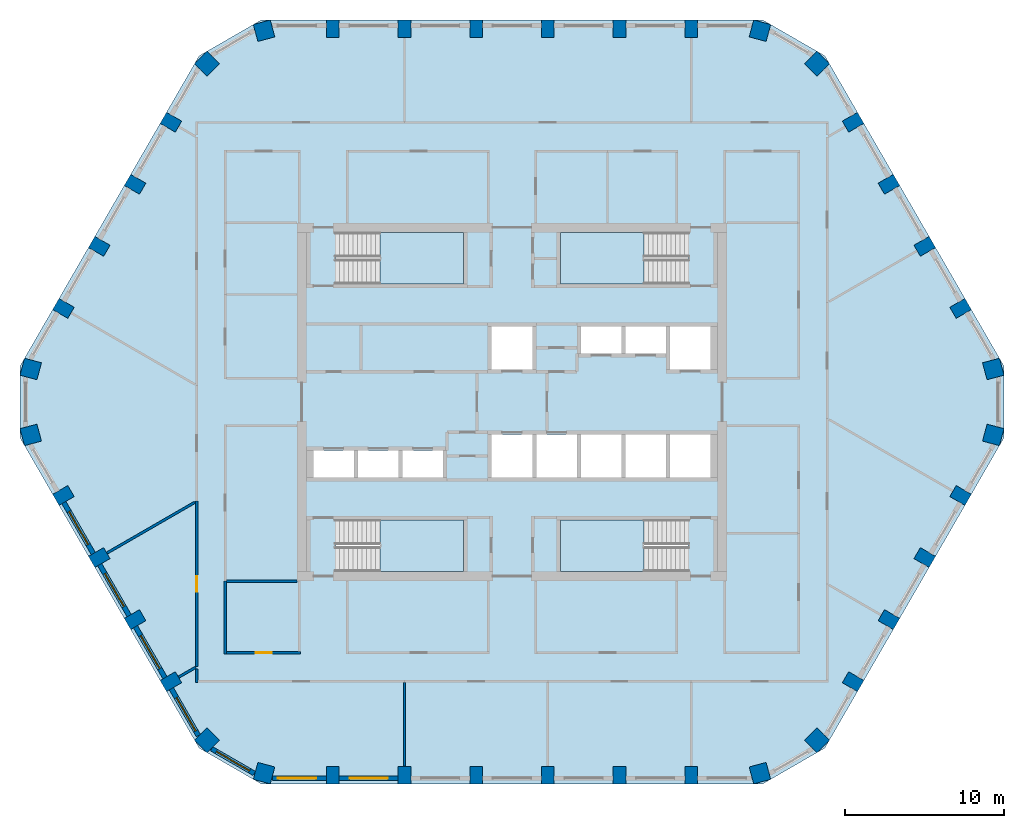
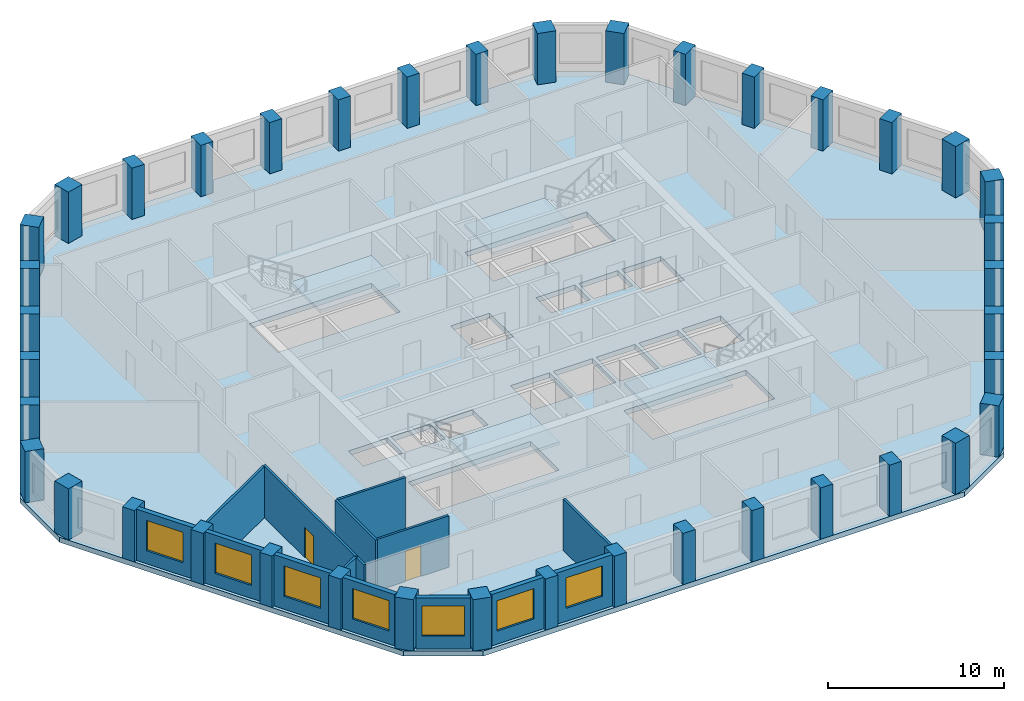
# One storey, part 1 of 9: 40 columns, 15 walls, 7 windows, 5 slabs, 2 doors, 9 openings, 4 elements without a shape of their own.
"""IFC4 building model written with IfcOpenShell, lengths in metres."""

from ifc_helpers import new_model, si_unit, direction, frame, frame_2d, origin, origin_2d, place, context, subcontext, project, spatial, polyline, rectangle, outline, extrude, material, layer, layer_set, material_profile, profile_set, type_object, element, fill, aggregate, save


model = new_model("IFC4")

# Units and contexts
model_context = context("Model", 3, precision=1e-05, world=origin(), true_north=direction((0.0, 1.0)))
body_context = subcontext(model_context, "Body", "Model", "MODEL_VIEW")
ifc_project = project(units=[si_unit("LENGTHUNIT", "METRE"), si_unit("AREAUNIT", "SQUARE_METRE"), si_unit("VOLUMEUNIT", "CUBIC_METRE"), si_unit("PLANEANGLEUNIT", "RADIAN"), si_unit("MASSUNIT", "GRAM", prefix="KILO")], contexts=[model_context])

# Site, building, storey
site_placement = place(None, origin())
site = spatial("IfcSite", under=ifc_project, at=site_placement, CompositionType="ELEMENT")
building_placement = place(site_placement, origin())
building = spatial("IfcBuilding", under=site, at=building_placement, Name="Dhurran Vertical Campus", CompositionType="ELEMENT")
storey_placement = place(building_placement, frame((0.0, 0.0, 203.39990234375)))
storey = spatial("IfcBuildingStorey", under=building, at=storey_placement, Name="L50", CompositionType="ELEMENT", Elevation=203.39990234375)

# Columns
ifc_material_1 = material(Name="Concrete C50/60", Category="concrete")
ifc_material_profile_1 = material_profile(ifc_material_1, rectangle(XDim=1.10009765625, YDim=1.10009765625, at=origin_2d()), Name="RC 1100x1100")
ifc_profile_set_1 = profile_set([ifc_material_profile_1], Name="Concrete C50/60")
column_type_1 = type_object("IfcColumnType", Name="FR COL RC 1100x1100 C50/60", PredefinedType="COLUMN", material=ifc_profile_set_1)
for number, where, z_axis, x_axis, name in (
    (1, (-15.569580078125, -23.31201171875, 0.0), (0.0, 0.0, 1.0), (0.965925826289, -0.258819045103, 0.0), "Perimeter pier PP4.00"),
    (2, (15.569580078125, -23.31201171875, 0.0), (0.0, 0.0, 1.0), (0.965925826289, 0.258819045103, 0.0), "Perimeter pier PP4.07"),
    (3, (19.154052734375, -21.242431640625, 0.0), (0.0, 0.0, 1.0), (0.707106781187, 0.707106781187, 0.0), "Perimeter pier PP4.08"),
    (4, (30.223388671875, -2.069580078125, 0.0), (0.0, 0.0, 1.0), (0.258819045103, 0.965925826289, 0.0), "Perimeter pier PP4.13"),
    (5, (30.223388671875, 2.069580078125, 0.0), (0.0, 0.0, 1.0), (-0.258819045103, 0.965925826289, 0.0), "Perimeter pier PP4.14"),
    (6, (19.154052734375, 21.242431640625, 0.0), (0.0, 0.0, 1.0), (-0.707106781187, 0.707106781187, 0.0), "Perimeter pier PP4.19"),
    (7, (15.569580078125, 23.31201171875, 0.0), (0.0, 0.0, 1.0), (-0.965925826289, 0.258819045103, 0.0), "Perimeter pier PP4.20"),
    (8, (-15.569580078125, 23.31201171875, 0.0), (0.0, 0.0, 1.0), (-0.965925826289, -0.258819045103, 0.0), "Perimeter pier PP4.27"),
    (9, (-19.154052734375, 21.242431640625, 0.0), (0.0, 0.0, 1.0), (-0.707106781187, -0.707106781187, 0.0), "Perimeter pier PP4.28"),
    (10, (-30.223388671875, 2.069580078125, 0.0), (0.0, 0.0, 1.0), (-0.258819045103, -0.965925826289, 0.0), "Perimeter pier PP4.33"),
    (11, (-30.223388671875, -2.069580078125, 0.0), (0.0, 0.0, 1.0), (0.258819045103, -0.965925826289, 0.0), "Perimeter pier PP4.34"),
    (12, (-19.154052734375, -21.242431640625, 0.0), (0.0, 0.0, 1.0), (0.707106781187, -0.707106781187, 0.0), "Perimeter pier PP4.39"),
):
    element("IfcColumn", number, at=place(storey_placement, frame(where, z_axis=z_axis, x_axis=x_axis)), inside=storey, type_object=column_type_1, Name=name, PredefinedType="COLUMN", context=body_context, shape_type="SweptSolid", body=[
        extrude(rectangle(XDim=1.10009765625, YDim=1.10009765625, at=origin_2d()), origin(), (0.0, 0.0, 1.0), 3.550048828125),
    ])
ifc_material_2 = material(Name="Concrete C50/60", Category="concrete")
ifc_material_profile_2 = material_profile(ifc_material_2, rectangle(XDim=0.800048828125, YDim=1.10009765625, at=origin_2d()), Name="RC 800x1100")
ifc_profile_set_2 = profile_set([ifc_material_profile_2], Name="Concrete C50/60")
column_type_2 = type_object("IfcColumnType", Name="FR COL RC 800x1100 C50/60", PredefinedType="COLUMN", material=ifc_profile_set_2)
for number, where, z_axis, x_axis, name in (
    (13, (-11.25, -23.435546875, 0.0), (0.0, 0.0, 1.0), (1.0, 0.0, 0.0), "Perimeter pier PP4.01"),
    (14, (-6.75, -23.435546875, 0.0), (0.0, 0.0, 1.0), (1.0, 0.0, 0.0), "Perimeter pier PP4.02"),
    (15, (-2.25, -23.435546875, 0.0), (0.0, 0.0, 1.0), (1.0, 0.0, 0.0), "Perimeter pier PP4.03"),
    (16, (2.25, -23.435546875, 0.0), (0.0, 0.0, 1.0), (1.0, 0.0, 0.0), "Perimeter pier PP4.04"),
    (17, (6.75, -23.435546875, 0.0), (0.0, 0.0, 1.0), (1.0, 0.0, 0.0), "Perimeter pier PP4.05"),
    (18, (11.25, -23.435546875, 0.0), (0.0, 0.0, 1.0), (1.0, 0.0, 0.0), "Perimeter pier PP4.06"),
    (19, (21.4208984375, -17.5634765625, 0.0), (0.0, 0.0, 1.0), (0.5, 0.866025403784, 0.0), "Perimeter pier PP4.09"),
    (20, (23.6708984375, -13.666259765625, 0.0), (0.0, 0.0, 1.0), (0.5, 0.866025403784, 0.0), "Perimeter pier PP4.10"),
    (21, (25.9208984375, -9.769287109375, 0.0), (0.0, 0.0, 1.0), (0.5, 0.866025403784, 0.0), "Perimeter pier PP4.11"),
    (22, (28.1708984375, -5.8720703125, 0.0), (0.0, 0.0, 1.0), (0.5, 0.866025403784, 0.0), "Perimeter pier PP4.12"),
    (23, (28.1708984375, 5.8720703125, 0.0), (0.0, 0.0, 1.0), (-0.5, 0.866025403784, 0.0), "Perimeter pier PP4.15"),
    (24, (25.9208984375, 9.769287109375, 0.0), (0.0, 0.0, 1.0), (-0.5, 0.866025403784, 0.0), "Perimeter pier PP4.16"),
    (25, (23.6708984375, 13.666259765625, 0.0), (0.0, 0.0, 1.0), (-0.5, 0.866025403784, 0.0), "Perimeter pier PP4.17"),
    (26, (21.4208984375, 17.5634765625, 0.0), (0.0, 0.0, 1.0), (-0.5, 0.866025403784, 0.0), "Perimeter pier PP4.18"),
    (27, (11.25, 23.435546875, 0.0), (0.0, 0.0, 1.0), (-1.0, 0.0, 0.0), "Perimeter pier PP4.21"),
    (28, (6.75, 23.435546875, 0.0), (0.0, 0.0, 1.0), (-1.0, 0.0, 0.0), "Perimeter pier PP4.22"),
    (29, (2.25, 23.435546875, 0.0), (0.0, 0.0, 1.0), (-1.0, 0.0, 0.0), "Perimeter pier PP4.23"),
    (30, (-2.25, 23.435546875, 0.0), (0.0, 0.0, 1.0), (-1.0, 0.0, 0.0), "Perimeter pier PP4.24"),
    (31, (-6.75, 23.435546875, 0.0), (0.0, 0.0, 1.0), (-1.0, 0.0, 0.0), "Perimeter pier PP4.25"),
    (32, (-11.25, 23.435546875, 0.0), (0.0, 0.0, 1.0), (-1.0, 0.0, 0.0), "Perimeter pier PP4.26"),
    (33, (-21.4208984375, 17.5634765625, 0.0), (0.0, 0.0, 1.0), (-0.5, -0.866025403784, 0.0), "Perimeter pier PP4.29"),
    (34, (-23.6708984375, 13.666259765625, 0.0), (0.0, 0.0, 1.0), (-0.5, -0.866025403784, 0.0), "Perimeter pier PP4.30"),
    (35, (-25.9208984375, 9.769287109375, 0.0), (0.0, 0.0, 1.0), (-0.5, -0.866025403784, 0.0), "Perimeter pier PP4.31"),
    (36, (-28.1708984375, 5.8720703125, 0.0), (0.0, 0.0, 1.0), (-0.5, -0.866025403784, 0.0), "Perimeter pier PP4.32"),
    (37, (-28.1708984375, -5.8720703125, 0.0), (0.0, 0.0, 1.0), (0.5, -0.866025403784, 0.0), "Perimeter pier PP4.35"),
    (38, (-25.9208984375, -9.769287109375, 0.0), (0.0, 0.0, 1.0), (0.5, -0.866025403784, 0.0), "Perimeter pier PP4.36"),
    (39, (-23.6708984375, -13.666259765625, 0.0), (0.0, 0.0, 1.0), (0.5, -0.866025403784, 0.0), "Perimeter pier PP4.37"),
    (40, (-21.4208984375, -17.5634765625, 0.0), (0.0, 0.0, 1.0), (0.5, -0.866025403784, 0.0), "Perimeter pier PP4.38"),
):
    element("IfcColumn", number, at=place(storey_placement, frame(where, z_axis=z_axis, x_axis=x_axis)), inside=storey, type_object=column_type_2, Name=name, PredefinedType="COLUMN", context=body_context, shape_type="SweptSolid", body=[
        extrude(rectangle(XDim=0.800048828125, YDim=1.10009765625, at=origin_2d()), origin(), (0.0, 0.0, 1.0), 3.550048828125),
    ])

# Slab
ifc_material_3 = material(Name="Concrete C40/50", Category="concrete")
ifc_layer_1 = layer(ifc_material_3, 0.35009765625)
ifc_layer_set_1 = layer_set([ifc_layer_1], Name="Concrete C40/50")
slab_type_1 = type_object("IfcSlabType", Name="FR POST-TENSIONED FLAT SLAB 350", PredefinedType="FLOOR", material=ifc_layer_set_1)
slab_1_placement = place(storey_placement, frame((0.0, 0.0, -0.349853515625)))
element("IfcSlab", 41, at=slab_1_placement, inside=storey, type_object=slab_type_1, Name="Floor slab L50", PredefinedType="FLOOR", context=body_context, shape_type="SweptSolid", body=[
    extrude(outline(polyline([(-15.75, -23.985595703125), (15.75, -23.985595703125), (19.647216796875, -21.735595703125), (30.897216796875, -2.25), (30.897216796875, 2.25), (19.647216796875, 21.735595703125), (15.75, 23.985595703125), (-15.75, 23.985595703125), (-19.647216796875, 21.735595703125), (-30.897216796875, 2.25), (-30.897216796875, -2.25), (-19.647216796875, -21.735595703125), (-15.75, -23.985595703125)]), holes=[polyline([(-1.27490234375, 2.050048828125), (1.27490234375, 2.050048828125), (1.27490234375, 4.75), (-1.27490234375, 4.75), (-1.27490234375, 2.050048828125)]), polyline([(9.925048828125, 2.050048828125), (12.47509765625, 2.050048828125), (12.47509765625, 4.75), (9.925048828125, 4.75), (9.925048828125, 2.050048828125)]), polyline([(-1.27490234375, -4.75), (1.27490234375, -4.75), (1.27490234375, -2.050048828125), (-1.27490234375, -2.050048828125), (-1.27490234375, -4.75)]), polyline([(1.52490234375, -4.75), (4.074951171875, -4.75), (4.074951171875, -2.050048828125), (1.52490234375, -2.050048828125), (1.52490234375, -4.75)]), polyline([(4.324951171875, -4.75), (6.875, -4.75), (6.875, -2.050048828125), (4.324951171875, -2.050048828125), (4.324951171875, -4.75)]), polyline([(7.125, -4.75), (9.675048828125, -4.75), (9.675048828125, -2.050048828125), (7.125, -2.050048828125), (7.125, -4.75)]), polyline([(9.925048828125, -4.75), (12.47509765625, -4.75), (12.47509765625, -2.050048828125), (9.925048828125, -2.050048828125), (9.925048828125, -4.75)]), polyline([(4.324951171875, 3.050048828125), (6.875, 3.050048828125), (6.875, 4.75), (4.324951171875, 4.75), (4.324951171875, 3.050048828125)]), polyline([(7.125, 3.050048828125), (9.675048828125, 3.050048828125), (9.675048828125, 4.75), (7.125, 4.75), (7.125, 3.050048828125)]), polyline([(-12.47509765625, -4.75), (-9.925048828125, -4.75), (-9.925048828125, -3.050048828125), (-12.47509765625, -3.050048828125), (-12.47509765625, -4.75)]), polyline([(-9.675048828125, -4.75), (-7.125, -4.75), (-7.125, -3.050048828125), (-9.675048828125, -3.050048828125), (-9.675048828125, -4.75)]), polyline([(-6.875, -4.75), (-4.324951171875, -4.75), (-4.324951171875, -3.050048828125), (-6.875, -3.050048828125), (-6.875, -4.75)]), polyline([(-11.050048828125, 7.39990234375), (-3.050048828125, 7.39990234375), (-3.050048828125, 10.64990234375), (-11.050048828125, 10.64990234375), (-11.050048828125, 7.39990234375)]), polyline([(3.050048828125, 7.39990234375), (11.050048828125, 7.39990234375), (11.050048828125, 10.64990234375), (3.050048828125, 10.64990234375), (3.050048828125, 7.39990234375)]), polyline([(-11.050048828125, -10.64990234375), (-3.050048828125, -10.64990234375), (-3.050048828125, -7.39990234375), (-11.050048828125, -7.39990234375), (-11.050048828125, -10.64990234375)]), polyline([(3.050048828125, -10.64990234375), (11.050048828125, -10.64990234375), (11.050048828125, -7.39990234375), (3.050048828125, -7.39990234375), (3.050048828125, -10.64990234375)])]), origin(), (0.0, 0.0, 1.0), 0.349853515625),
])

# Stair, slab
ifc_material_4 = material(Name="Concrete C40/50", Category="concrete")
stair_type = type_object("IfcStairType", Name="co-ST-CORE", PredefinedType="HALF_TURN_STAIR", material=ifc_material_4)
stair_1_placement = place(storey_placement, origin())
stair_1 = element("IfcStair", 42, at=stair_1_placement, inside=storey, type_object=stair_type, Name="L50 Protected exit stair ST1", PredefinedType="HALF_TURN_STAIR")
ifc_material_5 = material(Name="Concrete C40/50", Category="concrete")
ifc_layer_2 = layer(ifc_material_5, 0.199951171875)
ifc_layer_set_2 = layer_set([ifc_layer_2], Name="Concrete C40/50")
slab_type_2 = type_object("IfcSlabType", Name="co-SL-LANDING", PredefinedType="LANDING", material=ifc_layer_set_2)
slab_2_placement = place(storey_placement, frame((0.0, 0.0, 1.75)))
slab_2 = element("IfcSlab", 43, at=slab_2_placement, type_object=slab_type_2, Name="ST1 landing 1", PredefinedType="LANDING", context=body_context, shape_type="SweptSolid", body=[
    extrude(outline(polyline([(-8.300048828125, 7.39990234375), (-3.050048828125, 7.39990234375), (-3.050048828125, 10.64990234375), (-8.300048828125, 10.64990234375), (-8.300048828125, 7.39990234375)])), origin(), (0.0, 0.0, 1.0), 0.2001953125),
])
aggregate(stair_1, [slab_2])

stair_2_placement = place(storey_placement, origin())
stair_2 = element("IfcStair", 44, at=stair_2_placement, inside=storey, type_object=stair_type, Name="L50 Protected exit stair ST2", PredefinedType="HALF_TURN_STAIR")
slab_3_placement = place(storey_placement, frame((0.0, 0.0, 1.75)))
slab_3 = element("IfcSlab", 45, at=slab_3_placement, type_object=slab_type_2, Name="ST2 landing 1", PredefinedType="LANDING", context=body_context, shape_type="SweptSolid", body=[
    extrude(outline(polyline([(8.300048828125, 10.64990234375), (3.050048828125, 10.64990234375), (3.050048828125, 7.39990234375), (8.300048828125, 7.39990234375), (8.300048828125, 10.64990234375)])), origin(), (0.0, 0.0, 1.0), 0.2001953125),
])
aggregate(stair_2, [slab_3])

stair_3_placement = place(storey_placement, origin())
stair_3 = element("IfcStair", 46, at=stair_3_placement, inside=storey, type_object=stair_type, Name="L50 Protected exit stair ST3", PredefinedType="HALF_TURN_STAIR")
slab_4_placement = place(storey_placement, frame((0.0, 0.0, 1.75)))
slab_4 = element("IfcSlab", 47, at=slab_4_placement, type_object=slab_type_2, Name="ST3 landing 1", PredefinedType="LANDING", context=body_context, shape_type="SweptSolid", body=[
    extrude(outline(polyline([(-8.300048828125, -10.64990234375), (-3.050048828125, -10.64990234375), (-3.050048828125, -7.39990234375), (-8.300048828125, -7.39990234375), (-8.300048828125, -10.64990234375)])), origin(), (0.0, 0.0, 1.0), 0.2001953125),
])
aggregate(stair_3, [slab_4])

stair_4_placement = place(storey_placement, origin())
stair_4 = element("IfcStair", 48, at=stair_4_placement, inside=storey, type_object=stair_type, Name="L50 Protected exit stair ST4", PredefinedType="HALF_TURN_STAIR")
slab_5_placement = place(storey_placement, frame((0.0, 0.0, 1.75)))
slab_5 = element("IfcSlab", 49, at=slab_5_placement, type_object=slab_type_2, Name="ST4 landing 1", PredefinedType="LANDING", context=body_context, shape_type="SweptSolid", body=[
    extrude(outline(polyline([(8.300048828125, -7.39990234375), (3.050048828125, -7.39990234375), (3.050048828125, -10.64990234375), (8.300048828125, -10.64990234375), (8.300048828125, -7.39990234375)])), origin(), (0.0, 0.0, 1.0), 0.2001953125),
])
aggregate(stair_4, [slab_5])

# Wall, opening, window
ifc_material_6 = material(Name="Precast concrete C50/60", Category="concrete")
ifc_layer_3 = layer(ifc_material_6, 0.300048828125)
ifc_layer_set_3 = layer_set([ifc_layer_3], Name="Precast concrete C50/60")
wall_type_1 = type_object("IfcWallType", Name="Precast spandrel wall 300", PredefinedType="SOLIDWALL", material=ifc_layer_set_3)
wall_1_placement = place(storey_placement, frame((-15.04638671875, -23.635498046875, 0.0), z_axis=(0.0, 0.0, 1.0), x_axis=(1.0, 0.0, 0.0)))
wall_1 = element("IfcWall", 50, at=wall_1_placement, inside=storey, type_object=wall_type_1, Name="EW1 L50.00", PredefinedType="SOLIDWALL", context=body_context, shape_type="SweptSolid", body=[
    extrude(rectangle(XDim=3.39599609375, YDim=0.300048828125, at=frame_2d((1.697998046875, 0.0))), origin(), (0.0, 0.0, 1.0), 3.550048828125),
])
opening_1_placement = place(wall_1_placement, frame((0.34619140625, 0.0, 0.89990234375)))
opening_1 = element("IfcOpeningElement", 51, at=opening_1_placement, cuts=wall_1, Name="Opening WT1", PredefinedType="OPENING", context=body_context, shape_type="SweptSolid", body=[
    extrude(rectangle(XDim=2.39990234375, YDim=2.10009765625, at=frame_2d((1.199951171875, 1.050048828125))), frame((0.0, 0.159912109375, 0.0), z_axis=(0.0, -1.0, 0.0), x_axis=(1.0, 0.0, 0.0)), (0.0, 0.0, 1.0), 0.320068359375),
])
ifc_material_7 = material(Name="Aluminium frame with solar-control glass", Category="aluminium")
window_type = type_object("IfcWindowType", Name="Punched window 2400 x 2100", PartitioningType="SINGLE_PANEL", PredefinedType="WINDOW", material=ifc_material_7)
window_1_placement = place(opening_1_placement, origin())
window_1 = element("IfcWindow", 52, at=window_1_placement, inside=storey, type_object=window_type, Name="WT1 L50.00", OverallHeight=2.10009765625, OverallWidth=2.39990234375, PartitioningType="SINGLE_PANEL", PredefinedType="WINDOW", context=body_context, shape_type="SweptSolid", body=[
    extrude(rectangle(XDim=2.39990234375, YDim=2.10009765625, at=frame_2d((1.199951171875, 1.050048828125))), frame((0.0, 0.030029296875, 0.0), z_axis=(0.0, -1.0, 0.0), x_axis=(1.0, 0.0, 0.0)), (0.0, 0.0, 1.0), 0.06005859375),
])
fill(opening_1, window_1)

wall_2_placement = place(storey_placement, frame((-10.849609375, -23.635498046875, 0.0), z_axis=(0.0, 0.0, 1.0), x_axis=(1.0, 0.0, 0.0)))
wall_2 = element("IfcWall", 53, at=wall_2_placement, inside=storey, type_object=wall_type_1, Name="EW1 L50.01", PredefinedType="SOLIDWALL", context=body_context, shape_type="SweptSolid", body=[
    extrude(rectangle(XDim=3.69921875, YDim=0.300048828125, at=frame_2d((1.849609375, 0.0))), origin(), (0.0, 0.0, 1.0), 3.550048828125),
])
opening_2_placement = place(wall_2_placement, frame((0.6494140625, 0.0, 0.89990234375)))
opening_2 = element("IfcOpeningElement", 54, at=opening_2_placement, cuts=wall_2, Name="Opening WT1", PredefinedType="OPENING", context=body_context, shape_type="SweptSolid", body=[
    extrude(rectangle(XDim=2.39990234375, YDim=2.10009765625, at=frame_2d((1.199951171875, 1.050048828125))), frame((0.0, 0.159912109375, 0.0), z_axis=(0.0, -1.0, 0.0), x_axis=(1.0, 0.0, 0.0)), (0.0, 0.0, 1.0), 0.320068359375),
])
window_2_placement = place(opening_2_placement, origin())
window_2 = element("IfcWindow", 55, at=window_2_placement, inside=storey, type_object=window_type, Name="WT1 L50.01", OverallHeight=2.10009765625, OverallWidth=2.39990234375, PartitioningType="SINGLE_PANEL", PredefinedType="WINDOW", context=body_context, shape_type="SweptSolid", body=[
    extrude(rectangle(XDim=2.39990234375, YDim=2.10009765625, at=frame_2d((1.199951171875, 1.050048828125))), frame((0.0, 0.030029296875, 0.0), z_axis=(0.0, -1.0, 0.0), x_axis=(1.0, 0.0, 0.0)), (0.0, 0.0, 1.0), 0.06005859375),
])
fill(opening_2, window_2)

wall_3_placement = place(storey_placement, frame((-28.143798828125, -6.319091796875, 0.0), z_axis=(0.0, 0.0, 1.0), x_axis=(0.500029062817, -0.866008623709, 0.0)))
wall_3 = element("IfcWall", 56, at=wall_3_placement, inside=storey, type_object=wall_type_1, Name="EW1 L50.35", PredefinedType="SOLIDWALL", context=body_context, shape_type="SweptSolid", body=[
    extrude(rectangle(XDim=3.698974609375, YDim=0.300048828125, at=frame_2d((1.849609375, 0.0))), origin(), (0.0, 0.0, 1.0), 3.550048828125),
])
opening_3_placement = place(wall_3_placement, frame((0.6494140625, 0.0, 0.89990234375)))
opening_3 = element("IfcOpeningElement", 57, at=opening_3_placement, cuts=wall_3, Name="Opening WT1", PredefinedType="OPENING", context=body_context, shape_type="SweptSolid", body=[
    extrude(rectangle(XDim=2.39990234375, YDim=2.10009765625, at=frame_2d((1.199951171875, 1.050048828125))), frame((0.0, 0.159912109375, 0.0), z_axis=(0.0, -1.0, 0.0), x_axis=(1.0, 0.0, 0.0)), (0.0, 0.0, 1.0), 0.320068359375),
])
window_3_placement = place(opening_3_placement, origin())
window_3 = element("IfcWindow", 58, at=window_3_placement, inside=storey, type_object=window_type, Name="WT1 L50.35", OverallHeight=2.10009765625, OverallWidth=2.39990234375, PartitioningType="SINGLE_PANEL", PredefinedType="WINDOW", context=body_context, shape_type="SweptSolid", body=[
    extrude(rectangle(XDim=2.39990234375, YDim=2.10009765625, at=frame_2d((1.199951171875, 1.050048828125))), frame((0.0, 0.030029296875, 0.0), z_axis=(0.0, -1.0, 0.0), x_axis=(1.0, 0.0, 0.0)), (0.0, 0.0, 1.0), 0.06005859375),
])
fill(opening_3, window_3)

wall_4_placement = place(storey_placement, frame((-25.893798828125, -10.216064453125, 0.0), z_axis=(0.0, 0.0, 1.0), x_axis=(0.500029062817, -0.866008623709, 0.0)))
wall_4 = element("IfcWall", 59, at=wall_4_placement, inside=storey, type_object=wall_type_1, Name="EW1 L50.36", PredefinedType="SOLIDWALL", context=body_context, shape_type="SweptSolid", body=[
    extrude(rectangle(XDim=3.698974609375, YDim=0.300048828125, at=frame_2d((1.849609375, 0.0))), origin(), (0.0, 0.0, 1.0), 3.550048828125),
])
opening_4_placement = place(wall_4_placement, frame((0.6494140625, 0.0, 0.89990234375)))
opening_4 = element("IfcOpeningElement", 60, at=opening_4_placement, cuts=wall_4, Name="Opening WT1", PredefinedType="OPENING", context=body_context, shape_type="SweptSolid", body=[
    extrude(rectangle(XDim=2.39990234375, YDim=2.10009765625, at=frame_2d((1.199951171875, 1.050048828125))), frame((0.0, 0.159912109375, 0.0), z_axis=(0.0, -1.0, 0.0), x_axis=(1.0, 0.0, 0.0)), (0.0, 0.0, 1.0), 0.320068359375),
])
window_4_placement = place(opening_4_placement, origin())
window_4 = element("IfcWindow", 61, at=window_4_placement, inside=storey, type_object=window_type, Name="WT1 L50.36", OverallHeight=2.10009765625, OverallWidth=2.39990234375, PartitioningType="SINGLE_PANEL", PredefinedType="WINDOW", context=body_context, shape_type="SweptSolid", body=[
    extrude(rectangle(XDim=2.39990234375, YDim=2.10009765625, at=frame_2d((1.199951171875, 1.050048828125))), frame((0.0, 0.030029296875, 0.0), z_axis=(0.0, -1.0, 0.0), x_axis=(1.0, 0.0, 0.0)), (0.0, 0.0, 1.0), 0.06005859375),
])
fill(opening_4, window_4)

wall_5_placement = place(storey_placement, frame((-23.643798828125, -14.11328125, 0.0), z_axis=(0.0, 0.0, 1.0), x_axis=(0.500029062817, -0.866008623709, 0.0)))
wall_5 = element("IfcWall", 62, at=wall_5_placement, inside=storey, type_object=wall_type_1, Name="EW1 L50.37", PredefinedType="SOLIDWALL", context=body_context, shape_type="SweptSolid", body=[
    extrude(rectangle(XDim=3.698974609375, YDim=0.300048828125, at=frame_2d((1.849609375, 0.0))), origin(), (0.0, 0.0, 1.0), 3.550048828125),
])
opening_5_placement = place(wall_5_placement, frame((0.6494140625, 0.0, 0.89990234375)))
opening_5 = element("IfcOpeningElement", 63, at=opening_5_placement, cuts=wall_5, Name="Opening WT1", PredefinedType="OPENING", context=body_context, shape_type="SweptSolid", body=[
    extrude(rectangle(XDim=2.39990234375, YDim=2.10009765625, at=frame_2d((1.199951171875, 1.050048828125))), frame((0.0, 0.159912109375, 0.0), z_axis=(0.0, -1.0, 0.0), x_axis=(1.0, 0.0, 0.0)), (0.0, 0.0, 1.0), 0.320068359375),
])
window_5_placement = place(opening_5_placement, origin())
window_5 = element("IfcWindow", 64, at=window_5_placement, inside=storey, type_object=window_type, Name="WT1 L50.37", OverallHeight=2.10009765625, OverallWidth=2.39990234375, PartitioningType="SINGLE_PANEL", PredefinedType="WINDOW", context=body_context, shape_type="SweptSolid", body=[
    extrude(rectangle(XDim=2.39990234375, YDim=2.10009765625, at=frame_2d((1.199951171875, 1.050048828125))), frame((0.0, 0.030029296875, 0.0), z_axis=(0.0, -1.0, 0.0), x_axis=(1.0, 0.0, 0.0)), (0.0, 0.0, 1.0), 0.06005859375),
])
fill(opening_5, window_5)

wall_6_placement = place(storey_placement, frame((-21.393798828125, -18.01025390625, 0.0), z_axis=(0.0, 0.0, 1.0), x_axis=(0.500012868213, -0.866017974191, 0.0)))
wall_6 = element("IfcWall", 65, at=wall_6_placement, inside=storey, type_object=wall_type_1, Name="EW1 L50.38", PredefinedType="SOLIDWALL", context=body_context, shape_type="SweptSolid", body=[
    extrude(rectangle(XDim=3.39599609375, YDim=0.300048828125, at=frame_2d((1.697998046875, 0.0))), origin(), (0.0, 0.0, 1.0), 3.550048828125),
])
opening_6_placement = place(wall_6_placement, frame((0.6494140625, 0.0, 0.89990234375)))
opening_6 = element("IfcOpeningElement", 66, at=opening_6_placement, cuts=wall_6, Name="Opening WT1", PredefinedType="OPENING", context=body_context, shape_type="SweptSolid", body=[
    extrude(rectangle(XDim=2.39990234375, YDim=2.10009765625, at=frame_2d((1.199951171875, 1.050048828125))), frame((0.0, 0.159912109375, 0.0), z_axis=(0.0, -1.0, 0.0), x_axis=(1.0, 0.0, 0.0)), (0.0, 0.0, 1.0), 0.320068359375),
])
window_6_placement = place(opening_6_placement, origin())
window_6 = element("IfcWindow", 67, at=window_6_placement, inside=storey, type_object=window_type, Name="WT1 L50.38", OverallHeight=2.10009765625, OverallWidth=2.39990234375, PartitioningType="SINGLE_PANEL", PredefinedType="WINDOW", context=body_context, shape_type="SweptSolid", body=[
    extrude(rectangle(XDim=2.39990234375, YDim=2.10009765625, at=frame_2d((1.199951171875, 1.050048828125))), frame((0.0, 0.030029296875, 0.0), z_axis=(0.0, -1.0, 0.0), x_axis=(1.0, 0.0, 0.0)), (0.0, 0.0, 1.0), 0.06005859375),
])
fill(opening_6, window_6)

wall_7_placement = place(storey_placement, frame((-18.86279296875, -21.7841796875, 0.0), z_axis=(0.0, 0.0, 1.0), x_axis=(0.865994975416, -0.500052699777, 0.0)))
wall_7 = element("IfcWall", 68, at=wall_7_placement, inside=storey, type_object=wall_type_1, Name="EW1 L50.39", PredefinedType="SOLIDWALL", context=body_context, shape_type="SweptSolid", body=[
    extrude(rectangle(XDim=3.093017578125, YDim=0.300048828125, at=frame_2d((1.54638671875, 0.0))), origin(), (0.0, 0.0, 1.0), 3.550048828125),
])
opening_7_placement = place(wall_7_placement, frame((0.34619140625, 0.0, 0.89990234375)))
opening_7 = element("IfcOpeningElement", 69, at=opening_7_placement, cuts=wall_7, Name="Opening WT1", PredefinedType="OPENING", context=body_context, shape_type="SweptSolid", body=[
    extrude(rectangle(XDim=2.39990234375, YDim=2.10009765625, at=frame_2d((1.199951171875, 1.050048828125))), frame((0.0, 0.159912109375, 0.0), z_axis=(0.0, -1.0, 0.0), x_axis=(1.0, 0.0, 0.0)), (0.0, 0.0, 1.0), 0.320068359375),
])
window_7_placement = place(opening_7_placement, origin())
window_7 = element("IfcWindow", 70, at=window_7_placement, inside=storey, type_object=window_type, Name="WT1 L50.39", OverallHeight=2.10009765625, OverallWidth=2.39990234375, PartitioningType="SINGLE_PANEL", PredefinedType="WINDOW", context=body_context, shape_type="SweptSolid", body=[
    extrude(rectangle(XDim=2.39990234375, YDim=2.10009765625, at=frame_2d((1.199951171875, 1.050048828125))), frame((0.0, 0.030029296875, 0.0), z_axis=(0.0, -1.0, 0.0), x_axis=(1.0, 0.0, 0.0)), (0.0, 0.0, 1.0), 0.06005859375),
])
fill(opening_7, window_7)

# Wall
ifc_material_8 = material(Name="Gypsum board corridor wall on steel studs", Category="steel")
ifc_layer_4 = layer(ifc_material_8, 0.14990234375)
ifc_layer_set_4 = layer_set([ifc_layer_4], Name="Gypsum board corridor wall on steel studs")
wall_type_2 = type_object("IfcWallType", Name="fl-CW-150 corridor wall", PredefinedType="PARTITIONING", material=ifc_layer_set_4)
wall_8_placement = place(storey_placement, frame((-19.800048828125, -16.758056640625, 0.0), z_axis=(0.0, 0.0, 1.0), x_axis=(0.0, -1.0, 0.0)))
element("IfcWall", 71, at=wall_8_placement, inside=storey, type_object=wall_type_2, Name="Partition 50-05", PredefinedType="PARTITIONING", context=body_context, shape_type="SweptSolid", body=[
    extrude(rectangle(XDim=0.866943359375, YDim=0.14990234375, at=frame_2d((0.43359375, 0.0))), origin(), (0.0, 0.0, 1.0), 3.550048828125),
])

# Wall, opening, door
wall_9_placement = place(storey_placement, frame((-19.800048828125, -6.235107421875, 0.0), z_axis=(0.0, 0.0, 1.0), x_axis=(0.0, -1.0, 0.0)))
wall_9 = element("IfcWall", 72, at=wall_9_placement, inside=storey, type_object=wall_type_2, Name="Partition 50-07", PredefinedType="PARTITIONING", context=body_context, shape_type="SweptSolid", body=[
    extrude(rectangle(XDim=10.392822265625, YDim=0.14990234375, at=frame_2d((5.1962890625, 0.0))), origin(), (0.0, 0.0, 1.0), 3.550048828125),
])
opening_8_placement = place(wall_9_placement, frame((4.696533203125, 0.0, 0.0)))
opening_8 = element("IfcOpeningElement", 73, at=opening_8_placement, cuts=wall_9, Name="Opening T14.03", PredefinedType="OPENING", context=body_context, shape_type="SweptSolid", body=[
    extrude(rectangle(XDim=1.0, YDim=2.10009765625, at=frame_2d((0.5, 1.050048828125))), frame((0.0, 0.0849609375, 0.0), z_axis=(0.0, -1.0, 0.0), x_axis=(1.0, 0.0, 0.0)), (0.0, 0.0, 1.0), 0.169921875),
])
ifc_material_9 = material(Name="Solid-core timber door set, fire-rated", Category="wood")
door_type = type_object("IfcDoorType", Name="fl-D-1000x2100", OperationType="SINGLE_SWING_LEFT", PredefinedType="DOOR", material=ifc_material_9)
door_1_placement = place(opening_8_placement, origin())
door_1 = element("IfcDoor", 74, at=door_1_placement, inside=storey, type_object=door_type, Name="Door 50.03", OperationType="SINGLE_SWING_LEFT", OverallHeight=2.10009765625, OverallWidth=1.0, PredefinedType="DOOR", context=body_context, shape_type="SweptSolid", body=[
    extrude(rectangle(XDim=1.0, YDim=2.10009765625, at=frame_2d((0.5, 1.050048828125))), frame((0.0, 0.02490234375, 0.0), z_axis=(0.0, -1.0, 0.0), x_axis=(1.0, 0.0, 0.0)), (0.0, 0.0, 1.0), 0.050048828125),
])
fill(opening_8, door_1)

# Wall
wall_10_placement = place(storey_placement, frame((-18.0, -15.824951171875, 0.0), z_axis=(0.0, 0.0, 1.0), x_axis=(0.0, 1.0, 0.0)))
element("IfcWall", 75, at=wall_10_placement, inside=storey, type_object=wall_type_2, Name="Partition 50-12", PredefinedType="PARTITIONING", context=body_context, shape_type="SweptSolid", body=[
    extrude(rectangle(XDim=4.574951171875, YDim=0.14990234375, at=frame_2d((2.28759765625, 0.0))), origin(), (0.0, 0.0, 1.0), 3.550048828125),
])

# Wall, opening, door
wall_11_placement = place(storey_placement, frame((-13.27490234375, -15.75, 0.0), z_axis=(0.0, 0.0, 1.0), x_axis=(-1.0, 0.0, 0.0)))
wall_11 = element("IfcWall", 76, at=wall_11_placement, inside=storey, type_object=wall_type_2, Name="Partition 50-13", PredefinedType="PARTITIONING", context=body_context, shape_type="SweptSolid", body=[
    extrude(rectangle(XDim=4.650146484375, YDim=0.14990234375, at=frame_2d((2.3251953125, 0.0))), origin(), (0.0, 0.0, 1.0), 3.550048828125),
])
opening_9_placement = place(wall_11_placement, frame((1.824951171875, 0.0, 0.0)))
opening_9 = element("IfcOpeningElement", 77, at=opening_9_placement, cuts=wall_11, Name="Opening T14.07", PredefinedType="OPENING", context=body_context, shape_type="SweptSolid", body=[
    extrude(rectangle(XDim=1.0, YDim=2.10009765625, at=frame_2d((0.5, 1.050048828125))), frame((0.0, 0.0849609375, 0.0), z_axis=(0.0, -1.0, 0.0), x_axis=(1.0, 0.0, 0.0)), (0.0, 0.0, 1.0), 0.169921875),
])
door_2_placement = place(opening_9_placement, origin())
door_2 = element("IfcDoor", 78, at=door_2_placement, inside=storey, type_object=door_type, Name="Door 50.07", OperationType="SINGLE_SWING_RIGHT", OverallHeight=2.10009765625, OverallWidth=1.0, PredefinedType="DOOR", context=body_context, shape_type="SweptSolid", body=[
    extrude(rectangle(XDim=1.0, YDim=2.10009765625, at=frame_2d((0.5, 1.050048828125))), frame((0.0, 0.02490234375, 0.0), z_axis=(0.0, -1.0, 0.0), x_axis=(1.0, 0.0, 0.0)), (0.0, 0.0, 1.0), 0.050048828125),
])
fill(opening_9, door_2)

# Walls
ifc_material_10 = material(Name="Gypsum board partition on steel studs", Category="steel")
ifc_layer_5 = layer(ifc_material_10, 0.14990234375)
ifc_layer_set_5 = layer_set([ifc_layer_5], Name="Gypsum board partition on steel studs")
wall_type_3 = type_object("IfcWallType", Name="fl-PW-150 fixed partition", PredefinedType="PARTITIONING", material=ifc_layer_set_5)
wall_12_placement = place(storey_placement, frame((-19.91259765625, -6.300048828125, 0.0), z_axis=(0.0, 0.0, 1.0), x_axis=(-0.866011921086, -0.500023351992, 0.0)))
element("IfcWall", 79, at=wall_12_placement, inside=storey, type_object=wall_type_3, Name="Partition 50-02", PredefinedType="PARTITIONING", context=body_context, shape_type="SweptSolid", body=[
    extrude(rectangle(XDim=6.367919921875, YDim=0.14990234375, at=frame_2d((3.18408203125, 0.0))), origin(), (0.0, 0.0, 1.0), 3.550048828125),
])
wall_13_placement = place(storey_placement, frame((-19.864990234375, -16.66552734375, 0.0), z_axis=(0.0, 0.0, 1.0), x_axis=(-0.866202157257, -0.499693728962, 0.0)))
element("IfcWall", 80, at=wall_13_placement, inside=storey, type_object=wall_type_3, Name="Partition 50-03", PredefinedType="PARTITIONING", context=body_context, shape_type="SweptSolid", body=[
    extrude(rectangle(XDim=1.226318359375, YDim=0.14990234375, at=frame_2d((0.61328125, 0.0))), origin(), (0.0, 0.0, 1.0), 3.550048828125),
])
wall_14_placement = place(storey_placement, frame((-13.5, -11.25, 0.0), z_axis=(0.0, 0.0, 1.0), x_axis=(-1.0, 0.0, 0.0)))
element("IfcWall", 81, at=wall_14_placement, inside=storey, type_object=wall_type_3, Name="Partition 50-15", PredefinedType="PARTITIONING", context=body_context, shape_type="SweptSolid", body=[
    extrude(rectangle(XDim=4.425048828125, YDim=0.14990234375, at=frame_2d((2.21240234375, 0.0))), origin(), (0.0, 0.0, 1.0), 3.550048828125),
])
wall_15_placement = place(storey_placement, frame((-6.75, -17.625, 0.0), z_axis=(0.0, 0.0, 1.0), x_axis=(0.0, -1.0, 0.0)))
element("IfcWall", 82, at=wall_15_placement, inside=storey, type_object=wall_type_3, Name="Partition 50-30", PredefinedType="PARTITIONING", context=body_context, shape_type="SweptSolid", body=[
    extrude(rectangle(XDim=5.240478515625, YDim=0.14990234375, at=frame_2d((2.6201171875, 0.0))), origin(), (0.0, 0.0, 1.0), 3.550048828125),
])

save(model, "model.ifc")
